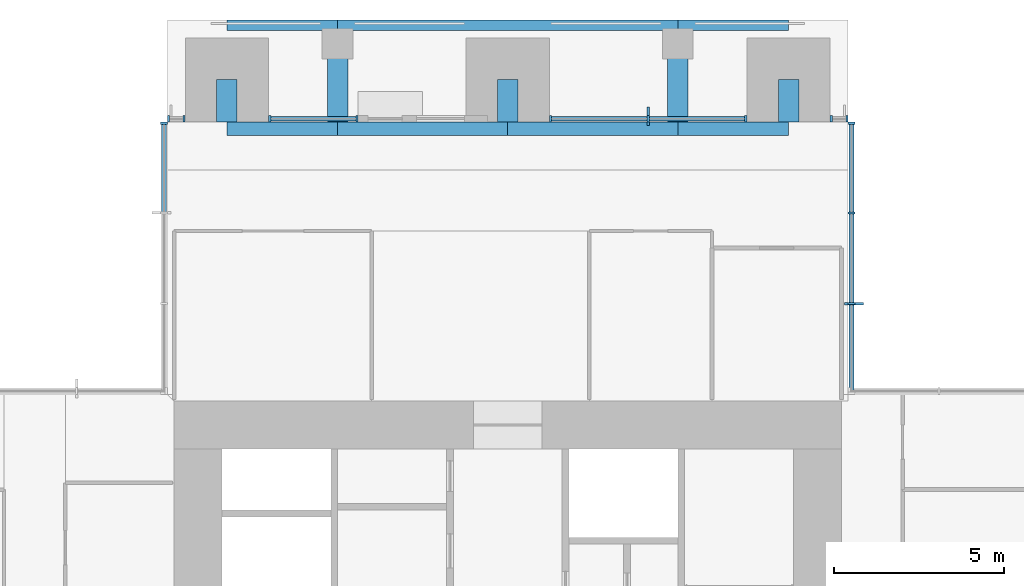
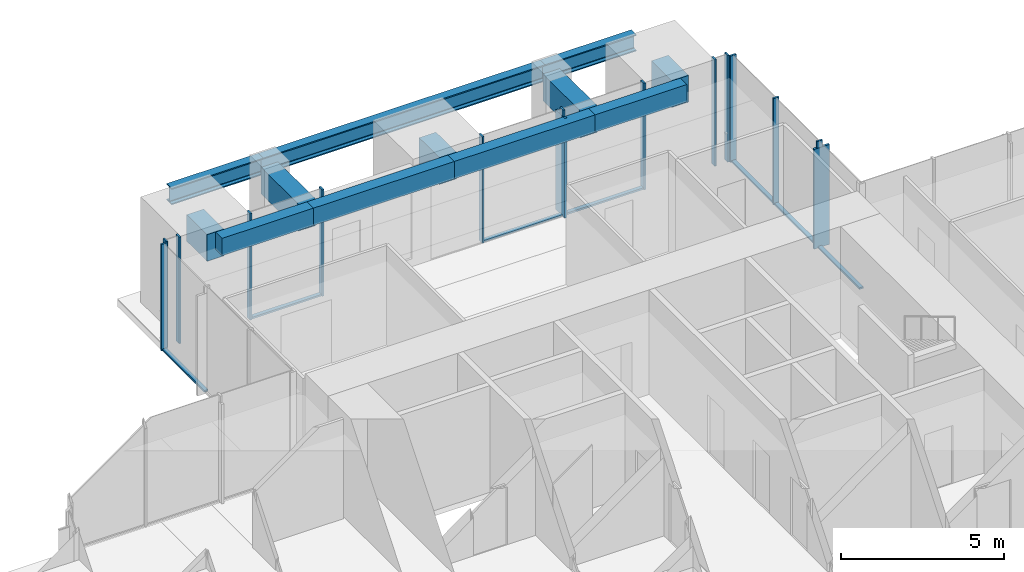
# One storey, part 5 of 17: 22 members, 12 beams, 6 elements without a shape of their own.
"""IFC4 building model written with IfcOpenShell, lengths in metres."""

from ifc_helpers import new_model, si_unit, direction, frame, origin, origin_2d, place, context, subcontext, project, spatial, rectangle, i_section, extrude, material, material_profile, profile_set, type_object, element, aggregate, save


model = new_model("IFC4")

# Units and contexts
model_context = context("Model", 3, precision=1e-05, world=origin(), true_north=direction((0.0, 1.0)))
body_context = subcontext(model_context, "Body", "Model", "MODEL_VIEW")
ifc_project = project(units=[si_unit("LENGTHUNIT", "METRE"), si_unit("AREAUNIT", "SQUARE_METRE"), si_unit("VOLUMEUNIT", "CUBIC_METRE"), si_unit("PLANEANGLEUNIT", "RADIAN"), si_unit("MASSUNIT", "GRAM", prefix="KILO")], contexts=[model_context])

# Site, building, storey
site_placement = place(None, origin())
site = spatial("IfcSite", under=ifc_project, at=site_placement, CompositionType="ELEMENT")
building_placement = place(site_placement, origin())
building = spatial("IfcBuilding", under=site, at=building_placement, Name="Svetlomir Tower", CompositionType="ELEMENT")
storey_placement = place(building_placement, frame((0.0, 0.0, 214.5)))
storey = spatial("IfcBuildingStorey", under=building, at=storey_placement, Name="L51", CompositionType="ELEMENT", Elevation=214.5)

# Curtain wall, member
ifc_material_1 = material(Name="Bronze anodised aluminium curtain wall", Category="aluminium")
curtain_wall_type = type_object("IfcCurtainWallType", Name="CURTAIN WALL CW1 TOWER OFFICE", PredefinedType="NOTDEFINED", material=ifc_material_1)
curtain_wall_1_placement = place(storey_placement, origin())
curtain_wall_1 = element("IfcCurtainWall", 1, at=curtain_wall_1_placement, inside=storey, type_object=curtain_wall_type, Name="Curtain wall CW1 L51", PredefinedType="NOTDEFINED")
ifc_material_2 = material(Name="Bronze anodised aluminium", Category="aluminium")
ifc_material_profile_1 = material_profile(ifc_material_2, rectangle(XDim=0.080078125, YDim=0.550048828125, at=origin_2d()), Name="FIN 80x550")
ifc_profile_set_1 = profile_set([ifc_material_profile_1], Name="Bronze anodised aluminium 6063-T6")
member_type_1 = type_object("IfcMemberType", Name="BRONZE FIN 80x550", PredefinedType="USERDEFINED", material=ifc_profile_set_1)
member_1_placement = place(storey_placement, frame((31.175048828125, 33.666748046875, 0.0), z_axis=(0.0, 0.0, 1.0), x_axis=(0.0, 1.0, 0.0)))
member_1 = element("IfcMember", 2, at=member_1_placement, type_object=member_type_1, Name="Bronze fin L51", ObjectType="FIN", PredefinedType="USERDEFINED", context=body_context, shape_type="SweptSolid", body=[
    extrude(rectangle(XDim=0.080078125, YDim=0.550048828125, at=origin_2d()), origin(), (0.0, 0.0, 1.0), 3.75),
])

curtain_wall_2_placement = place(storey_placement, origin())
curtain_wall_2 = element("IfcCurtainWall", 3, at=curtain_wall_2_placement, inside=storey, type_object=curtain_wall_type, Name="Curtain wall CW1 L51", PredefinedType="NOTDEFINED")
member_2_placement = place(storey_placement, frame((25.125, 39.175048828125, 0.0), z_axis=(0.0, 0.0, 1.0), x_axis=(1.0, 0.0, 0.0)))
member_2 = element("IfcMember", 4, at=member_2_placement, type_object=member_type_1, Name="Bronze fin L51", ObjectType="FIN", PredefinedType="USERDEFINED", context=body_context, shape_type="SweptSolid", body=[
    extrude(rectangle(XDim=0.080078125, YDim=0.550048828125, at=origin_2d()), origin(), (0.0, 0.0, 1.0), 3.75),
])

# Member
ifc_material_3 = material(Name="Bronze anodised aluminium", Category="aluminium")
ifc_material_profile_2 = material_profile(ifc_material_3, rectangle(XDim=0.06494140625, YDim=0.199951171875, at=origin_2d()), Name="AL 65x200")
ifc_profile_set_2 = profile_set([ifc_material_profile_2], Name="Bronze anodised aluminium 6063-T6")
member_type_2 = type_object("IfcMemberType", Name="CW1 MULLION 65x200", PredefinedType="MULLION", material=ifc_profile_set_2)
member_3_placement = place(storey_placement, frame((31.10009765625, 33.666748046875, 0.0), z_axis=(0.0, 0.0, 1.0), x_axis=(0.0, 1.0, 0.0)))
member_3 = element("IfcMember", 5, at=member_3_placement, type_object=member_type_2, Name="CW1 mullion 2", PredefinedType="MULLION", context=body_context, shape_type="SweptSolid", body=[
    extrude(rectangle(XDim=0.06494140625, YDim=0.199951171875, at=origin_2d()), origin(), (0.0, 0.0, 1.0), 4.0),
])

member_4_placement = place(storey_placement, frame((31.10009765625, 36.333251953125, 0.0), z_axis=(0.0, 0.0, 1.0), x_axis=(0.0, 1.0, 0.0)))
member_4 = element("IfcMember", 6, at=member_4_placement, type_object=member_type_2, Name="CW1 mullion 3", PredefinedType="MULLION", context=body_context, shape_type="SweptSolid", body=[
    extrude(rectangle(XDim=0.06494140625, YDim=0.199951171875, at=origin_2d()), origin(), (0.0, 0.0, 1.0), 4.0),
])

member_5_placement = place(storey_placement, frame((31.10009765625, 38.967529296875, 0.0), z_axis=(0.0, 0.0, 1.0), x_axis=(0.0, 1.0, 0.0)))
member_5 = element("IfcMember", 7, at=member_5_placement, type_object=member_type_2, Name="CW1 mullion 4", PredefinedType="MULLION", context=body_context, shape_type="SweptSolid", body=[
    extrude(rectangle(XDim=0.06494140625, YDim=0.199951171875, at=origin_2d()), origin(), (0.0, 0.0, 1.0), 4.0),
])

# Curtain wall, members
curtain_wall_3_placement = place(storey_placement, origin())
curtain_wall_3 = element("IfcCurtainWall", 8, at=curtain_wall_3_placement, inside=storey, type_object=curtain_wall_type, Name="Curtain wall CW1 L51", PredefinedType="NOTDEFINED")
member_6_placement = place(storey_placement, frame((30.967529296875, 39.10009765625, 0.0), z_axis=(0.0, 0.0, 1.0), x_axis=(-1.0, 0.0, 0.0)))
member_6 = element("IfcMember", 9, at=member_6_placement, type_object=member_type_2, Name="CW1 mullion 1", PredefinedType="MULLION", context=body_context, shape_type="SweptSolid", body=[
    extrude(rectangle(XDim=0.06494140625, YDim=0.199951171875, at=origin_2d()), origin(), (0.0, 0.0, 1.0), 4.0),
])
member_7_placement = place(storey_placement, frame((30.507568359375, 39.10009765625, 0.0), z_axis=(0.0, 0.0, 1.0), x_axis=(-1.0, 0.0, 0.0)))
member_7 = element("IfcMember", 10, at=member_7_placement, type_object=member_type_2, Name="CW1 mullion 2", PredefinedType="MULLION", context=body_context, shape_type="SweptSolid", body=[
    extrude(rectangle(XDim=0.06494140625, YDim=0.199951171875, at=origin_2d()), origin(), (0.0, 0.0, 1.0), 4.0),
])
aggregate(curtain_wall_3, [member_6, member_7])

# Member
member_8_placement = place(storey_placement, frame((27.992431640625, 39.10009765625, 0.0), z_axis=(0.0, 0.0, 1.0), x_axis=(-1.0, 0.0, 0.0)))
member_8 = element("IfcMember", 11, at=member_8_placement, type_object=member_type_2, Name="CW1 mullion 1", PredefinedType="MULLION", context=body_context, shape_type="SweptSolid", body=[
    extrude(rectangle(XDim=0.06494140625, YDim=0.199951171875, at=origin_2d()), origin(), (0.0, 0.0, 1.0), 4.0),
])

member_9_placement = place(storey_placement, frame((25.125, 39.10009765625, 0.0), z_axis=(0.0, 0.0, 1.0), x_axis=(-1.0, 0.0, 0.0)))
member_9 = element("IfcMember", 12, at=member_9_placement, type_object=member_type_2, Name="CW1 mullion 2", PredefinedType="MULLION", context=body_context, shape_type="SweptSolid", body=[
    extrude(rectangle(XDim=0.06494140625, YDim=0.199951171875, at=origin_2d()), origin(), (0.0, 0.0, 1.0), 4.0),
])

member_10_placement = place(storey_placement, frame((22.257568359375, 39.10009765625, 0.0), z_axis=(0.0, 0.0, 1.0), x_axis=(-1.0, 0.0, 0.0)))
member_10 = element("IfcMember", 13, at=member_10_placement, type_object=member_type_2, Name="CW1 mullion 3", PredefinedType="MULLION", context=body_context, shape_type="SweptSolid", body=[
    extrude(rectangle(XDim=0.06494140625, YDim=0.199951171875, at=origin_2d()), origin(), (0.0, 0.0, 1.0), 4.0),
])

# Curtain wall, members
curtain_wall_4_placement = place(storey_placement, origin())
curtain_wall_4 = element("IfcCurtainWall", 14, at=curtain_wall_4_placement, inside=storey, type_object=curtain_wall_type, Name="Curtain wall CW1 L51", PredefinedType="NOTDEFINED")
member_11_placement = place(storey_placement, frame((16.5673828125, 39.10009765625, 0.0), z_axis=(0.0, 0.0, 1.0), x_axis=(-1.0, 0.0, 0.0)))
member_11 = element("IfcMember", 15, at=member_11_placement, type_object=member_type_2, Name="CW1 mullion 1", PredefinedType="MULLION", context=body_context, shape_type="SweptSolid", body=[
    extrude(rectangle(XDim=0.06494140625, YDim=0.199951171875, at=origin_2d()), origin(), (0.0, 0.0, 1.0), 4.0),
])
member_12_placement = place(storey_placement, frame((14.007568359375, 39.10009765625, 0.0), z_axis=(0.0, 0.0, 1.0), x_axis=(-1.0, 0.0, 0.0)))
member_12 = element("IfcMember", 16, at=member_12_placement, type_object=member_type_2, Name="CW1 mullion 2", PredefinedType="MULLION", context=body_context, shape_type="SweptSolid", body=[
    extrude(rectangle(XDim=0.06494140625, YDim=0.199951171875, at=origin_2d()), origin(), (0.0, 0.0, 1.0), 4.0),
])

curtain_wall_5_placement = place(storey_placement, origin())
curtain_wall_5 = element("IfcCurtainWall", 17, at=curtain_wall_5_placement, inside=storey, type_object=curtain_wall_type, Name="Curtain wall CW1 L51", PredefinedType="NOTDEFINED")
member_13_placement = place(storey_placement, frame((11.492431640625, 39.10009765625, 0.0), z_axis=(0.0, 0.0, 1.0), x_axis=(-1.0, 0.0, 0.0)))
member_13 = element("IfcMember", 18, at=member_13_placement, type_object=member_type_2, Name="CW1 mullion 1", PredefinedType="MULLION", context=body_context, shape_type="SweptSolid", body=[
    extrude(rectangle(XDim=0.06494140625, YDim=0.199951171875, at=origin_2d()), origin(), (0.0, 0.0, 1.0), 4.0),
])
member_14_placement = place(storey_placement, frame((11.032470703125, 39.10009765625, 0.0), z_axis=(0.0, 0.0, 1.0), x_axis=(-1.0, 0.0, 0.0)))
member_14 = element("IfcMember", 19, at=member_14_placement, type_object=member_type_2, Name="CW1 mullion 2", PredefinedType="MULLION", context=body_context, shape_type="SweptSolid", body=[
    extrude(rectangle(XDim=0.06494140625, YDim=0.199951171875, at=origin_2d()), origin(), (0.0, 0.0, 1.0), 4.0),
])
aggregate(curtain_wall_5, [member_13, member_14])

# Curtain wall, member
curtain_wall_6_placement = place(storey_placement, origin())
curtain_wall_6 = element("IfcCurtainWall", 20, at=curtain_wall_6_placement, inside=storey, type_object=curtain_wall_type, Name="Curtain wall CW1 L51", PredefinedType="NOTDEFINED")
member_15_placement = place(storey_placement, frame((10.89990234375, 38.967529296875, 0.0), z_axis=(0.0, 0.0, 1.0), x_axis=(0.0, -1.0, 0.0)))
member_15 = element("IfcMember", 21, at=member_15_placement, type_object=member_type_2, Name="CW1 mullion 1", PredefinedType="MULLION", context=body_context, shape_type="SweptSolid", body=[
    extrude(rectangle(XDim=0.06494140625, YDim=0.199951171875, at=origin_2d()), origin(), (0.0, 0.0, 1.0), 4.0),
])

# Member
ifc_material_4 = material(Name="Bronze anodised aluminium", Category="aluminium")
ifc_material_profile_3 = material_profile(ifc_material_4, rectangle(XDim=0.139892578125, YDim=0.06494140625, at=origin_2d()), Name="AL 140x65")
ifc_profile_set_3 = profile_set([ifc_material_profile_3], Name="Bronze anodised aluminium 6063-T6")
member_type_3 = type_object("IfcMemberType", Name="CW1 TRANSOM 65x140", PredefinedType="USERDEFINED", material=ifc_profile_set_3)
member_16_placement = place(storey_placement, frame((31.10009765625, 31.06494140625, 0.032470703125), z_axis=(0.0, 1.0, 0.0), x_axis=(-1.0, 0.0, 0.0)))
member_16 = element("IfcMember", 22, at=member_16_placement, type_object=member_type_3, Name="CW1 transom 1.1", ObjectType="TRANSOM", PredefinedType="USERDEFINED", context=body_context, shape_type="SweptSolid", body=[
    extrude(rectangle(XDim=0.139892578125, YDim=0.06494140625, at=origin_2d()), origin(), (0.0, 0.0, 1.0), 2.5693359375),
])

member_17_placement = place(storey_placement, frame((31.10009765625, 33.69921875, 0.032470703125), z_axis=(0.0, 1.0, 0.0), x_axis=(-1.0, 0.0, 0.0)))
member_17 = element("IfcMember", 23, at=member_17_placement, type_object=member_type_3, Name="CW1 transom 2.1", ObjectType="TRANSOM", PredefinedType="USERDEFINED", context=body_context, shape_type="SweptSolid", body=[
    extrude(rectangle(XDim=0.139892578125, YDim=0.06494140625, at=origin_2d()), origin(), (0.0, 0.0, 1.0), 2.6015625),
])

member_18_placement = place(storey_placement, frame((31.10009765625, 36.36572265625, 0.032470703125), z_axis=(0.0, 1.0, 0.0), x_axis=(-1.0, 0.0, 0.0)))
member_18 = element("IfcMember", 24, at=member_18_placement, type_object=member_type_3, Name="CW1 transom 3.1", ObjectType="TRANSOM", PredefinedType="USERDEFINED", context=body_context, shape_type="SweptSolid", body=[
    extrude(rectangle(XDim=0.139892578125, YDim=0.06494140625, at=origin_2d()), origin(), (0.0, 0.0, 1.0), 2.5693359375),
])

aggregate(curtain_wall_1, [member_3, member_4, member_5, member_16, member_17, member_18, member_1])

member_19_placement = place(storey_placement, frame((27.9599609375, 39.10009765625, 0.032470703125), z_axis=(-1.0, 0.0, 0.0), x_axis=(0.0, -1.0, 0.0)))
member_19 = element("IfcMember", 25, at=member_19_placement, type_object=member_type_3, Name="CW1 transom 1.1", ObjectType="TRANSOM", PredefinedType="USERDEFINED", context=body_context, shape_type="SweptSolid", body=[
    extrude(rectangle(XDim=0.139892578125, YDim=0.06494140625, at=origin_2d()), origin(), (0.0, 0.0, 1.0), 2.802490234375),
])

member_20_placement = place(storey_placement, frame((25.092529296875, 39.10009765625, 0.032470703125), z_axis=(-1.0, 0.0, 0.0), x_axis=(0.0, -1.0, 0.0)))
member_20 = element("IfcMember", 26, at=member_20_placement, type_object=member_type_3, Name="CW1 transom 2.1", ObjectType="TRANSOM", PredefinedType="USERDEFINED", context=body_context, shape_type="SweptSolid", body=[
    extrude(rectangle(XDim=0.139892578125, YDim=0.06494140625, at=origin_2d()), origin(), (0.0, 0.0, 1.0), 2.802490234375),
])

aggregate(curtain_wall_2, [member_8, member_9, member_10, member_19, member_20, member_2])

member_21_placement = place(storey_placement, frame((16.534912109375, 39.10009765625, 0.032470703125), z_axis=(-1.0, 0.0, 0.0), x_axis=(0.0, -1.0, 0.0)))
member_21 = element("IfcMember", 27, at=member_21_placement, type_object=member_type_3, Name="CW1 transom 1.1", ObjectType="TRANSOM", PredefinedType="USERDEFINED", context=body_context, shape_type="SweptSolid", body=[
    extrude(rectangle(XDim=0.139892578125, YDim=0.06494140625, at=origin_2d()), origin(), (0.0, 0.0, 1.0), 2.494873046875),
])

aggregate(curtain_wall_4, [member_11, member_12, member_21])

member_22_placement = place(storey_placement, frame((10.89990234375, 38.93505859375, 0.032470703125), z_axis=(0.0, -1.0, 0.0), x_axis=(1.0, 0.0, 0.0)))
member_22 = element("IfcMember", 28, at=member_22_placement, type_object=member_type_3, Name="CW1 transom 1.1", ObjectType="TRANSOM", PredefinedType="USERDEFINED", context=body_context, shape_type="SweptSolid", body=[
    extrude(rectangle(XDim=0.139892578125, YDim=0.06494140625, at=origin_2d()), origin(), (0.0, 0.0, 1.0), 2.5693359375),
])

aggregate(curtain_wall_6, [member_15, member_22])

# Beams
ifc_material_5 = material(Name="Steel S355", Category="steel")
ifc_material_profile_4 = material_profile(ifc_material_5, i_section(OverallWidth=0.304931640625, OverallDepth=0.6201171875, WebThickness=0.02099609375, FlangeThickness=0.0400390625, FilletRadius=0.027099609375, at=origin_2d()), Name="HEM 600")
ifc_profile_set_4 = profile_set([ifc_material_profile_4], Name="Steel S355")
beam_type_1 = type_object("IfcBeamType", Name="EDGE BEAM HEM 600", PredefinedType="SPANDREL", material=ifc_profile_set_4)
beam_1_placement = place(storey_placement, frame((12.75, 41.847412109375, 3.43994140625), z_axis=(1.0, 0.0, 0.0), x_axis=(0.0, 1.0, 0.0)))
element("IfcBeam", 29, at=beam_1_placement, inside=storey, type_object=beam_type_1, Name="Edge beam 11/42 to 16/42 under L52", PredefinedType="SPANDREL", context=body_context, shape_type="SweptSolid", body=[
    extrude(i_section(OverallWidth=0.304931640625, OverallDepth=0.6201171875, WebThickness=0.02099609375, FlangeThickness=0.0400390625, FilletRadius=0.027099609375, at=origin_2d()), origin(), (0.0, 0.0, 1.0), 3.25),
])
beam_2_placement = place(storey_placement, frame((16.0, 41.847412109375, 3.43994140625), z_axis=(1.0, 0.0, 0.0), x_axis=(0.0, 1.0, 0.0)))
element("IfcBeam", 30, at=beam_2_placement, inside=storey, type_object=beam_type_1, Name="Edge beam 16/42 to 26/42 under L52", PredefinedType="SPANDREL", context=body_context, shape_type="SweptSolid", body=[
    extrude(i_section(OverallWidth=0.304931640625, OverallDepth=0.6201171875, WebThickness=0.02099609375, FlangeThickness=0.0400390625, FilletRadius=0.027099609375, at=origin_2d()), origin(), (0.0, 0.0, 1.0), 10.0),
])
beam_3_placement = place(storey_placement, frame((26.0, 41.847412109375, 3.43994140625), z_axis=(1.0, 0.0, 0.0), x_axis=(0.0, 1.0, 0.0)))
element("IfcBeam", 31, at=beam_3_placement, inside=storey, type_object=beam_type_1, Name="Edge beam 26/42 to 31/42 under L52", PredefinedType="SPANDREL", context=body_context, shape_type="SweptSolid", body=[
    extrude(i_section(OverallWidth=0.304931640625, OverallDepth=0.6201171875, WebThickness=0.02099609375, FlangeThickness=0.0400390625, FilletRadius=0.027099609375, at=origin_2d()), origin(), (0.0, 0.0, 1.0), 3.25),
])
ifc_material_6 = material(Name="Concrete C60/75", Category="concrete")
ifc_material_profile_5 = material_profile(ifc_material_6, rectangle(XDim=0.39990234375, YDim=0.64990234375, at=origin_2d()), Name="RC 400x650")
ifc_profile_set_5 = profile_set([ifc_material_profile_5], Name="Concrete C60/75")
beam_type_2 = type_object("IfcBeamType", Name="FACADE EDGE BEAM RC 400x650", PredefinedType="BEAM", material=ifc_profile_set_5)
beam_4_placement = place(storey_placement, frame((12.75, 38.800048828125, 3.425048828125), z_axis=(1.0, 0.0, 0.0), x_axis=(0.0, 1.0, 0.0)))
element("IfcBeam", 32, at=beam_4_placement, inside=storey, type_object=beam_type_2, Name="Facade edge beam N 11 to 16 under L52", PredefinedType="BEAM", context=body_context, shape_type="SweptSolid", body=[
    extrude(rectangle(XDim=0.39990234375, YDim=0.64990234375, at=origin_2d()), origin(), (0.0, 0.0, 1.0), 3.25),
])
for number, where, z_axis, x_axis, name in (
    (33, (16.0, 38.800048828125, 3.425048828125), (1.0, 0.0, 0.0), (0.0, 1.0, 0.0), "Facade edge beam N 16 to 21 under L52"),
    (34, (21.0, 38.800048828125, 3.425048828125), (1.0, 0.0, 0.0), (0.0, 1.0, 0.0), "Facade edge beam N 21 to 26 under L52"),
):
    element("IfcBeam", number, at=place(storey_placement, frame(where, z_axis=z_axis, x_axis=x_axis)), inside=storey, type_object=beam_type_2, Name=name, PredefinedType="BEAM", context=body_context, shape_type="SweptSolid", body=[
        extrude(rectangle(XDim=0.39990234375, YDim=0.64990234375, at=origin_2d()), origin(), (0.0, 0.0, 1.0), 5.0),
    ])
beam_5_placement = place(storey_placement, frame((26.0, 38.800048828125, 3.425048828125), z_axis=(1.0, 0.0, 0.0), x_axis=(0.0, 1.0, 0.0)))
element("IfcBeam", 35, at=beam_5_placement, inside=storey, type_object=beam_type_2, Name="Facade edge beam N 26 to 31 under L52", PredefinedType="BEAM", context=body_context, shape_type="SweptSolid", body=[
    extrude(rectangle(XDim=0.39990234375, YDim=0.64990234375, at=origin_2d()), origin(), (0.0, 0.0, 1.0), 3.25),
])
ifc_material_7 = material(Name="Concrete C60/75", Category="concrete")
ifc_material_profile_6 = material_profile(ifc_material_7, rectangle(XDim=0.60009765625, YDim=1.0, at=origin_2d()), Name="RC 600x1000")
ifc_profile_set_6 = profile_set([ifc_material_profile_6], Name="Concrete C60/75")
beam_type_3 = type_object("IfcBeamType", Name="LOGGIA LINK BEAM RC 600x1000", PredefinedType="BEAM", material=ifc_profile_set_6)
beam_6_placement = place(storey_placement, frame((12.75, 40.25, 3.25), z_axis=(0.0, -1.0, 0.0), x_axis=(1.0, 0.0, 0.0)))
element("IfcBeam", 36, at=beam_6_placement, inside=storey, type_object=beam_type_3, Name="Loggia link beam N 11 under L52", PredefinedType="BEAM", context=body_context, shape_type="SweptSolid", body=[
    extrude(rectangle(XDim=0.60009765625, YDim=1.0, at=origin_2d()), origin(), (0.0, 0.0, 1.0), 1.25),
])
beam_7_placement = place(storey_placement, frame((16.0, 41.300048828125, 3.25), z_axis=(0.0, -1.0, 0.0), x_axis=(1.0, 0.0, 0.0)))
element("IfcBeam", 37, at=beam_7_placement, inside=storey, type_object=beam_type_3, Name="Loggia link beam N 16 under L52", PredefinedType="BEAM", context=body_context, shape_type="SweptSolid", body=[
    extrude(rectangle(XDim=0.60009765625, YDim=1.0, at=origin_2d()), origin(), (0.0, 0.0, 1.0), 2.300048828125),
])
beam_8_placement = place(storey_placement, frame((21.0, 40.25, 3.25), z_axis=(0.0, -1.0, 0.0), x_axis=(1.0, 0.0, 0.0)))
element("IfcBeam", 38, at=beam_8_placement, inside=storey, type_object=beam_type_3, Name="Loggia link beam N 21 under L52", PredefinedType="BEAM", context=body_context, shape_type="SweptSolid", body=[
    extrude(rectangle(XDim=0.60009765625, YDim=1.0, at=origin_2d()), origin(), (0.0, 0.0, 1.0), 1.25),
])
beam_9_placement = place(storey_placement, frame((26.0, 41.300048828125, 3.25), z_axis=(0.0, -1.0, 0.0), x_axis=(1.0, 0.0, 0.0)))
element("IfcBeam", 39, at=beam_9_placement, inside=storey, type_object=beam_type_3, Name="Loggia link beam N 26 under L52", PredefinedType="BEAM", context=body_context, shape_type="SweptSolid", body=[
    extrude(rectangle(XDim=0.60009765625, YDim=1.0, at=origin_2d()), origin(), (0.0, 0.0, 1.0), 2.300048828125),
])
beam_10_placement = place(storey_placement, frame((29.25, 40.25, 3.25), z_axis=(0.0, -1.0, 0.0), x_axis=(1.0, 0.0, 0.0)))
element("IfcBeam", 40, at=beam_10_placement, inside=storey, type_object=beam_type_3, Name="Loggia link beam N 31 under L52", PredefinedType="BEAM", context=body_context, shape_type="SweptSolid", body=[
    extrude(rectangle(XDim=0.60009765625, YDim=1.0, at=origin_2d()), origin(), (0.0, 0.0, 1.0), 1.25),
])

save(model, "model.ifc")
